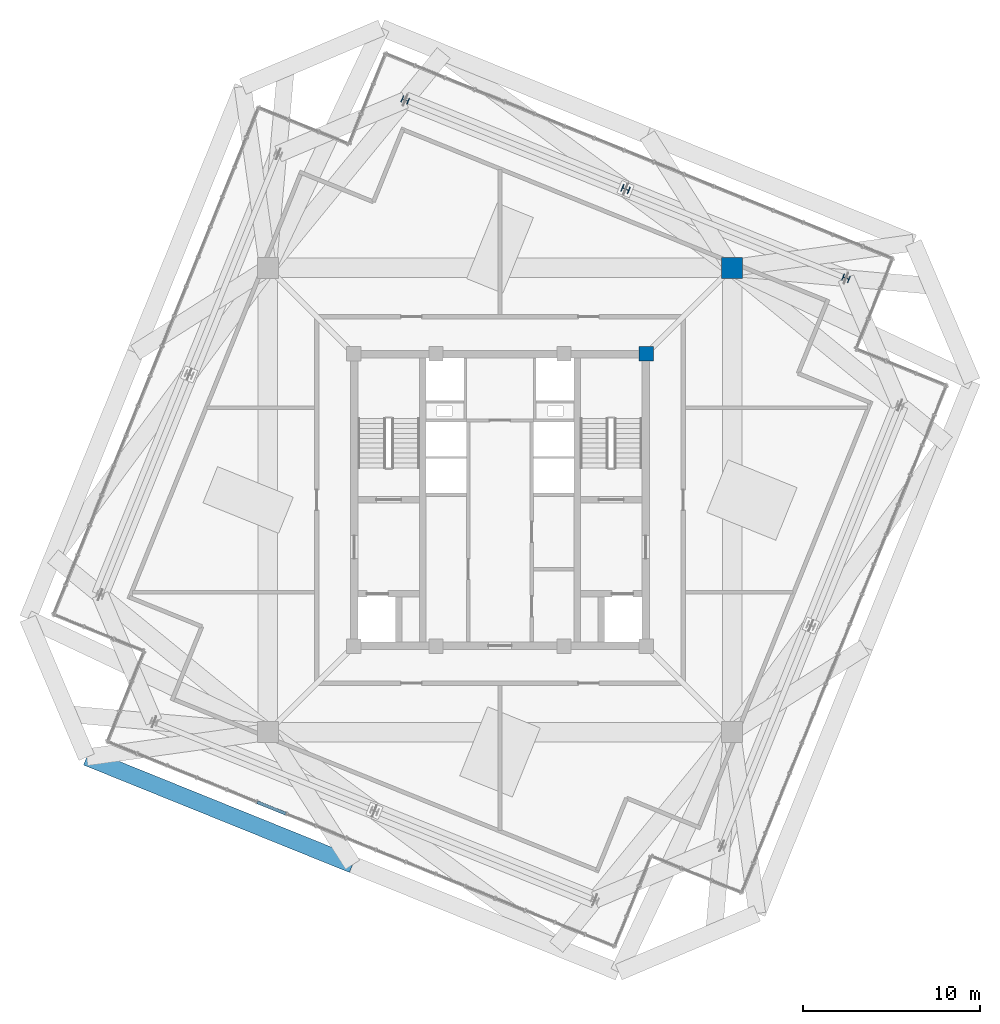
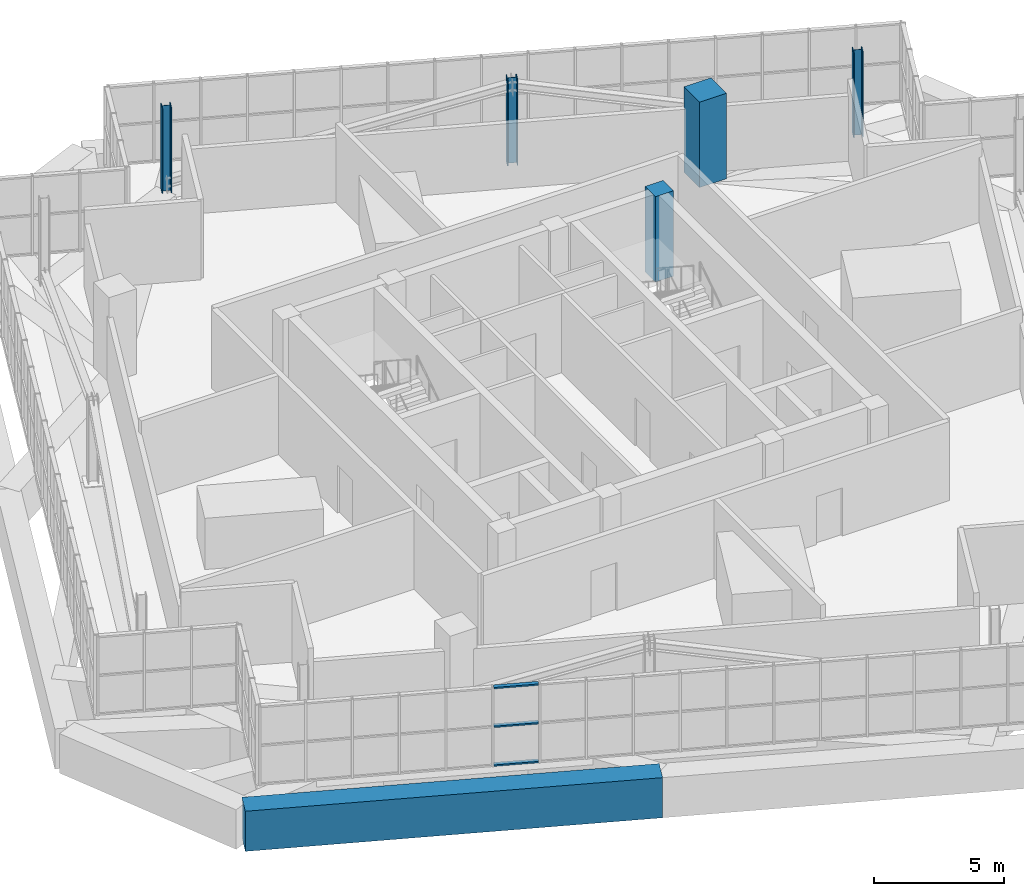
# One storey, part 2 of 35: 5 columns, 3 members, 1 beam, 1 element without a shape of its own.
"""IFC4 building model written with IfcOpenShell, lengths in metres."""

from ifc_helpers import new_model, si_unit, direction, frame, origin, origin_2d, place, context, subcontext, project, spatial, rectangle, hollow_rectangle, i_section, extrude, source, transform, mapped, material, layer, layer_set, material_profile, profile_set, type_object, element, aggregate, save


model = new_model("IFC4")

# Units and contexts
model_context = context("Model", 3, precision=1e-05, world=origin(), true_north=direction((0.0, 1.0)))
body_context = subcontext(model_context, "Body", "Model", "MODEL_VIEW")
ifc_project = project(units=[si_unit("LENGTHUNIT", "METRE"), si_unit("AREAUNIT", "SQUARE_METRE"), si_unit("VOLUMEUNIT", "CUBIC_METRE"), si_unit("PLANEANGLEUNIT", "RADIAN"), si_unit("MASSUNIT", "GRAM", prefix="KILO"), si_unit("THERMODYNAMICTEMPERATUREUNIT", "KELVIN")], contexts=[model_context])

# Site, building, storey
site_placement = place(None, origin())
site = spatial("IfcSite", under=ifc_project, at=site_placement, CompositionType="ELEMENT")
building_placement = place(site_placement, origin())
building = spatial("IfcBuilding", under=site, at=building_placement, Name="Kosmvard Interchange Tower", CompositionType="ELEMENT")
storey_placement = place(building_placement, frame((0.0, 0.0, 321.60009765625)))
storey = spatial("IfcBuildingStorey", under=building, at=storey_placement, Name="L79", CompositionType="ELEMENT", Elevation=321.60009765625)

# Columns
ifc_material_1 = material(Name="Concrete C50/60", Category="concrete")
ifc_material_profile_1 = material_profile(ifc_material_1, rectangle(XDim=0.800048828125, YDim=0.800048828125, at=origin_2d()), Name="CP 800x800")
ifc_profile_set_1 = profile_set([ifc_material_profile_1], Name="Concrete C50/60")
column_type_1 = type_object("IfcColumnType", Name="Core Boundary Pilaster 800x800 C50/60", PredefinedType="PILASTER", material=ifc_profile_set_1)
shared_shape_1 = source(origin(), body_context, "Body", "SweptSolid", [
    extrude(rectangle(XDim=0.800048828125, YDim=0.800048828125, at=origin_2d()), origin(), (0.0, 0.0, 1.0), 4.0),
])
column_1_placement = place(storey_placement, frame((8.25, 8.25, 0.0), z_axis=(0.0, 0.0, 1.0), x_axis=(1.0, 0.0, 0.0)))
element("IfcColumn", 1, at=column_1_placement, inside=storey, type_object=column_type_1, Name="L79 Core Pilaster CP3", PredefinedType="PILASTER", context=body_context, shape_type="MappedRepresentation", body=[
    mapped(shared_shape_1, transform((0.0, 0.0, 0.0), scale=1.0)),
])
ifc_material_profile_2 = material_profile(ifc_material_1, rectangle(XDim=1.199951171875, YDim=1.199951171875, at=origin_2d()), Name="MC 1200x1200")
ifc_profile_set_2 = profile_set([ifc_material_profile_2], Name="Concrete C50/60")
column_type_2 = type_object("IfcColumnType", Name="Composite Mega-Column 1200x1200 C50/60", PredefinedType="COLUMN", material=ifc_profile_set_2)
shared_shape_2 = source(origin(), body_context, "Body", "SweptSolid", [
    extrude(rectangle(XDim=1.199951171875, YDim=1.199951171875, at=origin_2d()), origin(), (0.0, 0.0, 1.0), 4.0),
])
column_2_placement = place(storey_placement, frame((13.0810546875, 13.0810546875, 0.0), z_axis=(0.0, 0.0, 1.0), x_axis=(1.0, 0.0, 0.0)))
element("IfcColumn", 2, at=column_2_placement, inside=storey, type_object=column_type_2, Name="L79 Corner Mega-Column MC3", PredefinedType="COLUMN", context=body_context, shape_type="MappedRepresentation", body=[
    mapped(shared_shape_2, transform((0.0, 0.0, 0.0), scale=1.0)),
])
ifc_material_2 = material(Name="Steel S355", Category="steel")
ifc_material_profile_3 = material_profile(ifc_material_2, i_section(OverallWidth=0.3759765625, OverallDepth=0.386962890625, WebThickness=0.01953125, FlangeThickness=0.031982421875, FilletRadius=0.014892578125, at=origin_2d()), Name="HD 360x329")
ifc_profile_set_3 = profile_set([ifc_material_profile_3], Name="Steel S355")
column_type_3 = type_object("IfcColumnType", Name="Crown Lantern Corner Post HD 360x329 S355", PredefinedType="COLUMN", material=ifc_profile_set_3)
shared_shape_3 = source(origin(), body_context, "Body", "SweptSolid", [
    extrude(i_section(OverallWidth=0.3759765625, OverallDepth=0.386962890625, WebThickness=0.01953125, FlangeThickness=0.031982421875, FilletRadius=0.014892578125, at=origin_2d()), origin(), (0.0, 0.0, 1.0), 4.0),
])
for number, where, z_axis, x_axis, name in (
    (3, (19.50439453125, 12.504150390625, 0.0), (0.0, 0.0, 1.0), (0.374606593416, 0.927183854567, 0.0), "L79 Crown Frame Leg LL-E1"),
    (4, (-5.34423828125, 22.54345703125, 0.0), (0.0, 0.0, 1.0), (0.374606593416, 0.927183854567, 0.0), "L79 Crown Frame Leg LL-E3"),
):
    element("IfcColumn", number, at=place(storey_placement, frame(where, z_axis=z_axis, x_axis=x_axis)), inside=storey, type_object=column_type_3, Name=name, PredefinedType="COLUMN", context=body_context, shape_type="MappedRepresentation", body=[
        mapped(shared_shape_3, transform((0.0, 0.0, 0.0), scale=1.0)),
    ])
ifc_material_profile_4 = material_profile(ifc_material_2, i_section(OverallWidth=0.408935546875, OverallDepth=0.425048828125, WebThickness=0.02392578125, FlangeThickness=0.0390625, FilletRadius=0.014892578125, at=origin_2d()), Name="HD 400x421")
ifc_profile_set_4 = profile_set([ifc_material_profile_4], Name="Steel S355")
column_type_4 = type_object("IfcColumnType", Name="Crown Lantern Frame Leg HD 400x421 S355", PredefinedType="COLUMN", material=ifc_profile_set_4)
shared_shape_4 = source(origin(), body_context, "Body", "SweptSolid", [
    extrude(i_section(OverallWidth=0.408935546875, OverallDepth=0.425048828125, WebThickness=0.02392578125, FlangeThickness=0.0390625, FilletRadius=0.014892578125, at=origin_2d()), origin(), (0.0, 0.0, 1.0), 4.0),
])
column_3_placement = place(storey_placement, frame((7.080078125, 17.523681640625, 0.0), z_axis=(0.0, 0.0, 1.0), x_axis=(0.374606593416, 0.927183854567, 0.0)))
element("IfcColumn", 5, at=column_3_placement, inside=storey, type_object=column_type_4, Name="L79 Crown Frame Leg LL-E2", PredefinedType="COLUMN", context=body_context, shape_type="MappedRepresentation", body=[
    mapped(shared_shape_4, transform((0.0, 0.0, 0.0), scale=1.0)),
])

# Beam
ifc_material_3 = material(Name="Concrete C60/75", Category="concrete")
ifc_material_profile_5 = material_profile(ifc_material_3, rectangle(XDim=0.949951171875, YDim=1.8798828125, at=origin_2d()), Name="TG 950x1880")
ifc_profile_set_5 = profile_set([ifc_material_profile_5], Name="Concrete C60/75")
beam_type = type_object("IfcBeamType", Name="Upper Long-Span Transfer Girder 950x1880 C60/75", PredefinedType="USERDEFINED", material=ifc_profile_set_5)
shared_shape_5 = source(origin(), body_context, "Body", "SweptSolid", [
    extrude(rectangle(XDim=0.949951171875, YDim=1.8798828125, at=origin_2d()), origin(), (0.0, 0.0, 1.0), 16.175048828125),
])
beam_placement = place(storey_placement, frame((-23.30419921875, -14.5009765625, -0.940185546875), z_axis=(0.927183472009, -0.374607540279, 0.0), x_axis=(0.374607540279, 0.927183472009, 0.0)))
element("IfcBeam", 6, at=beam_placement, inside=storey, type_object=beam_type, Name="BM-L79-LR10", ObjectType="TRANSFER_GIRDER", PredefinedType="USERDEFINED", context=body_context, shape_type="MappedRepresentation", body=[
    mapped(shared_shape_5, transform((0.0, 0.0, 0.0), scale=1.0)),
])

# Curtain wall, members
ifc_material_4 = material(Name="Architectural anodised aluminium", Category="aluminium")
ifc_layer = layer(ifc_material_4, 0.25, Name="Architectural anodised aluminium")
ifc_layer_set = layer_set([ifc_layer], Name="Architectural anodised aluminium")
curtain_wall_type = type_object("IfcCurtainWallType", Name="CW-6 Illuminated Crown Lantern Curtain Wall", PredefinedType="NOTDEFINED", material=ifc_layer_set)
curtain_wall_placement = place(storey_placement, origin())
curtain_wall = element("IfcCurtainWall", 7, at=curtain_wall_placement, inside=storey, type_object=curtain_wall_type, Name="L79 Crown Lantern Glazing Face 10", PredefinedType="NOTDEFINED")
ifc_material_profile_6 = material_profile(ifc_material_4, hollow_rectangle(XDim=0.179931640625, YDim=0.070068359375, WallThickness=0.0048828125, at=origin_2d()), Name="CWT 180x70x5")
ifc_profile_set_6 = profile_set([ifc_material_profile_6], Name="Architectural anodised aluminium")
member_type = type_object("IfcMemberType", Name="Heavy Lantern CW Transom 180x70 Aluminium", PredefinedType="USERDEFINED", material=ifc_profile_set_6)
shared_shape_6 = source(origin(), body_context, "Body", "SweptSolid", [
    extrude(hollow_rectangle(XDim=0.179931640625, YDim=0.070068359375, WallThickness=0.0048828125, at=origin_2d()), origin(), (0.0, 0.0, 1.0), 1.734130859375),
])
member_1_placement = place(storey_placement, frame((-13.686767578125, -17.033203125, 0.034912109375), z_axis=(0.927179782522, -0.374616671924, 0.0), x_axis=(0.374616671924, 0.927179782522, 0.0)))
member_1 = element("IfcMember", 8, at=member_1_placement, type_object=member_type, Name="CW-6 transom 6.1", ObjectType="TRANSOM", PredefinedType="USERDEFINED", context=body_context, shape_type="MappedRepresentation", body=[
    mapped(shared_shape_6, transform((0.0, 0.0, 0.0), scale=1.0)),
])
member_2_placement = place(storey_placement, frame((-13.686767578125, -17.033203125, 1.849853515625), z_axis=(0.927179782522, -0.374616671924, 0.0), x_axis=(0.374616671924, 0.927179782522, 0.0)))
member_2 = element("IfcMember", 9, at=member_2_placement, type_object=member_type, Name="CW-6 transom 6.2", ObjectType="TRANSOM", PredefinedType="USERDEFINED", context=body_context, shape_type="MappedRepresentation", body=[
    mapped(shared_shape_6, transform((0.0, 0.0, 0.0), scale=1.0)),
])
member_3_placement = place(storey_placement, frame((-13.686767578125, -17.033203125, 3.664794921875), z_axis=(0.927179782522, -0.374616671924, 0.0), x_axis=(0.374616671924, 0.927179782522, 0.0)))
member_3 = element("IfcMember", 10, at=member_3_placement, type_object=member_type, Name="CW-6 transom 6.3", ObjectType="TRANSOM", PredefinedType="USERDEFINED", context=body_context, shape_type="MappedRepresentation", body=[
    mapped(shared_shape_6, transform((0.0, 0.0, 0.0), scale=1.0)),
])
aggregate(curtain_wall, [member_1, member_2, member_3])

save(model, "model.ifc")
